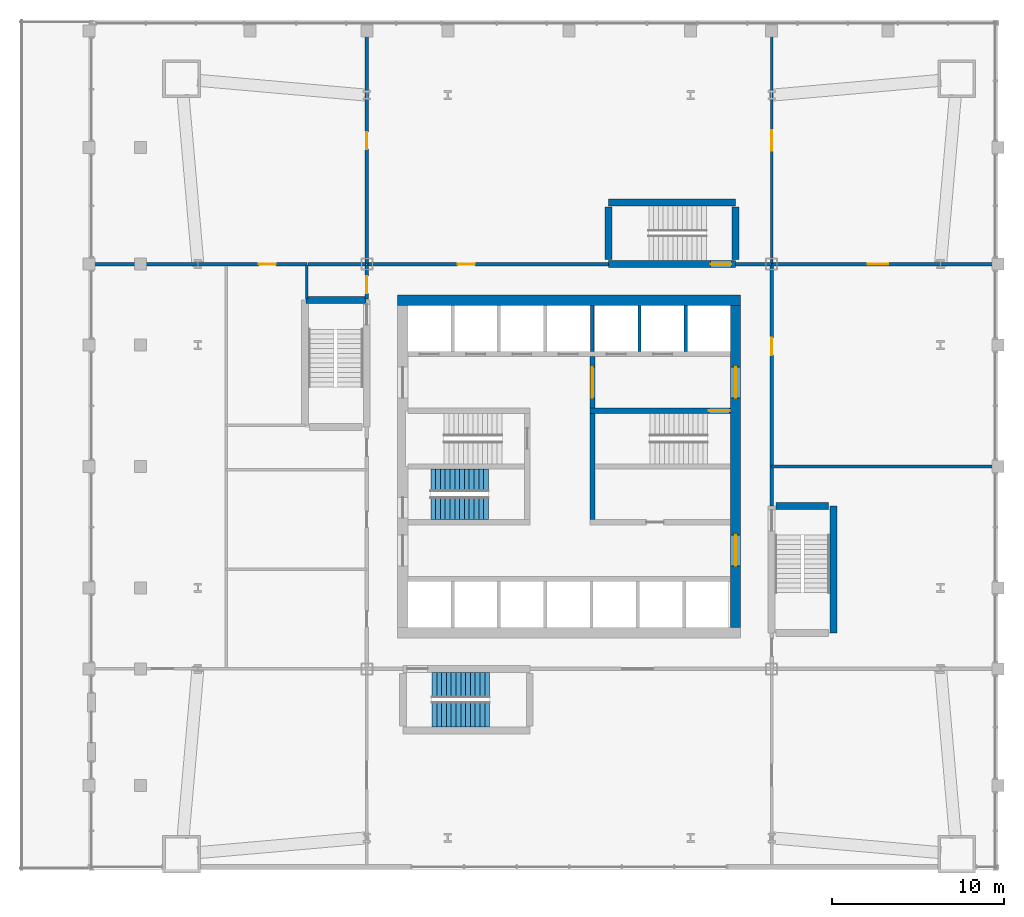
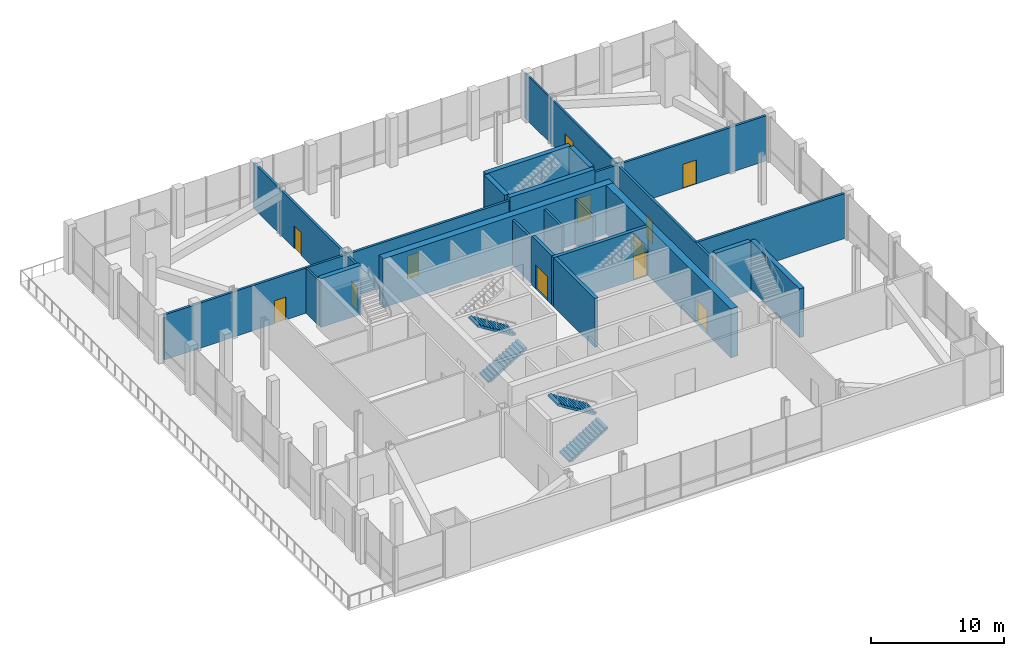
# One storey, part 13 of 15: 25 walls, 12 doors, 4 stair flights, 12 openings, 2 elements without a shape of their own.
"""IFC4 building model written with IfcOpenShell, lengths in metres."""

from ifc_helpers import new_model, si_unit, direction, frame, frame_2d, origin, place, context, subcontext, project, spatial, polyline, rectangle, outline, extrude, material, layer, layer_set, type_object, element, fill, aggregate, save


model = new_model("IFC4")

# Units and contexts
model_context = context("Model", 3, precision=1e-05, world=origin(), true_north=direction((0.0, 1.0)))
body_context = subcontext(model_context, "Body", "Model", "MODEL_VIEW")
ifc_project = project(units=[si_unit("LENGTHUNIT", "METRE"), si_unit("AREAUNIT", "SQUARE_METRE"), si_unit("VOLUMEUNIT", "CUBIC_METRE"), si_unit("PLANEANGLEUNIT", "RADIAN"), si_unit("MASSUNIT", "GRAM", prefix="KILO")], contexts=[model_context])

# Site, building, storey
site_placement = place(None, origin())
site = spatial("IfcSite", under=ifc_project, at=site_placement, CompositionType="ELEMENT")
building_placement = place(site_placement, origin())
building = spatial("IfcBuilding", under=site, at=building_placement, Name="Turquesa Mirador Hotel Tower", CompositionType="ELEMENT")
storey_placement = place(building_placement, frame((0.0, 0.0, 16.0)))
storey = spatial("IfcBuildingStorey", under=building, at=storey_placement, Name="L03", CompositionType="ELEMENT", Elevation=16.0)

# Wall, opening, door
ifc_material_1 = material(Name="Concrete C50/60", Category="concrete")
ifc_layer_1 = layer(ifc_material_1, 0.300048828125)
ifc_layer_set_1 = layer_set([ifc_layer_1], Name="CORE INNER WALL 300")
wall_type_1 = type_object("IfcWallType", Name="CORE INNER WALL 300", PredefinedType="SHEAR", material=ifc_layer_set_1)
wall_1_placement = place(storey_placement, frame((56.199951171875, 48.25, 0.0), z_axis=(0.0, 0.0, 1.0), x_axis=(1.0, 0.0, 0.0)))
wall_1 = element("IfcWall", 1, at=wall_1_placement, inside=storey, type_object=wall_type_1, Name="Core wall MN-E", PredefinedType="SHEAR", context=body_context, shape_type="SweptSolid", body=[
    extrude(rectangle(XDim=8.199951171875, YDim=0.300048828125, at=frame_2d((4.10009765625, 0.0))), origin(), (0.0, 0.0, 1.0), 4.5),
])
opening_1_placement = place(wall_1_placement, frame((6.949951171875, 0.0, 0.0)))
opening_1 = element("IfcOpeningElement", 2, at=opening_1_placement, cuts=wall_1, Name="Opening D03", PredefinedType="OPENING", context=body_context, shape_type="SweptSolid", body=[
    extrude(rectangle(XDim=1.199951171875, YDim=2.199951171875, at=frame_2d((0.60009765625, 1.10009765625))), frame((0.0, 0.159912109375, 0.0), z_axis=(0.0, -1.0, 0.0), x_axis=(1.0, 0.0, 0.0)), (0.0, 0.0, 1.0), 0.320068359375),
])
ifc_material_2 = material(Name="Steel fire door", Category="steel")
door_type_1 = type_object("IfcDoorType", Name="DOOR 1200X2200 STAIR", OperationType="SINGLE_SWING_LEFT", PredefinedType="DOOR", material=ifc_material_2)
door_1_placement = place(opening_1_placement, origin())
door_1 = element("IfcDoor", 3, at=door_1_placement, inside=storey, type_object=door_type_1, Name="Stair ST3 door", OperationType="SINGLE_SWING_LEFT", OverallHeight=2.199951171875, OverallWidth=1.199951171875, PredefinedType="DOOR", context=body_context, shape_type="SweptSolid", body=[
    extrude(rectangle(XDim=1.199951171875, YDim=2.199951171875, at=frame_2d((0.60009765625, 1.10009765625))), frame((0.0, 0.02490234375, 0.0), z_axis=(0.0, -1.0, 0.0), x_axis=(1.0, 0.0, 0.0)), (0.0, 0.0, 1.0), 0.050048828125),
])
fill(opening_1, door_1)

wall_2_placement = place(storey_placement, frame((56.35009765625, 41.89990234375, 0.0), z_axis=(0.0, 0.0, 1.0), x_axis=(0.0, 1.0, 0.0)))
wall_2 = element("IfcWall", 4, at=wall_2_placement, inside=storey, type_object=wall_type_1, Name="Core wall PE", PredefinedType="SHEAR", context=body_context, shape_type="SweptSolid", body=[
    extrude(rectangle(XDim=9.5, YDim=0.300048828125, at=frame_2d((4.75, 0.0))), origin(), (0.0, 0.0, 1.0), 4.5),
])
opening_2_placement = place(wall_2_placement, frame((7.10009765625, 0.0, 0.0)))
opening_2 = element("IfcOpeningElement", 5, at=opening_2_placement, cuts=wall_2, Name="Opening D04", PredefinedType="OPENING", context=body_context, shape_type="SweptSolid", body=[
    extrude(rectangle(XDim=1.800048828125, YDim=2.199951171875, at=frame_2d((0.89990234375, 1.10009765625))), frame((0.0, 0.159912109375, 0.0), z_axis=(0.0, -1.0, 0.0), x_axis=(1.0, 0.0, 0.0)), (0.0, 0.0, 1.0), 0.320068359375),
])
ifc_material_3 = material(Name="Steel fire door pair", Category="steel")
door_type_2 = type_object("IfcDoorType", Name="DOOR 1800X2200 PAIR", OperationType="DOUBLE_DOOR_SINGLE_SWING", PredefinedType="DOOR", material=ifc_material_3)
door_2_placement = place(opening_2_placement, origin())
door_2 = element("IfcDoor", 6, at=door_2_placement, inside=storey, type_object=door_type_2, Name="Firefighting lobby inner door", OperationType="DOUBLE_DOOR_SINGLE_SWING", OverallHeight=2.199951171875, OverallWidth=1.800048828125, PredefinedType="DOOR", context=body_context, shape_type="SweptSolid", body=[
    extrude(rectangle(XDim=1.800048828125, YDim=2.199951171875, at=frame_2d((0.89990234375, 1.10009765625))), frame((0.0, 0.02490234375, 0.0), z_axis=(0.0, -1.0, 0.0), x_axis=(1.0, 0.0, 0.0)), (0.0, 0.0, 1.0), 0.050048828125),
])
fill(opening_2, door_2)

# Wall
ifc_material_4 = material(Name="Concrete C50/60", Category="concrete")
ifc_layer_2 = layer(ifc_material_4, 0.60009765625)
ifc_layer_set_2 = layer_set([ifc_layer_2], Name="CORE WALL 600")
wall_type_2 = type_object("IfcWallType", Name="CORE WALL 600", PredefinedType="SHEAR", material=ifc_layer_set_2)
wall_3_placement = place(storey_placement, frame((45.0, 54.699951171875, 0.0), z_axis=(0.0, 0.0, 1.0), x_axis=(1.0, 0.0, 0.0)))
element("IfcWall", 7, at=wall_3_placement, inside=storey, type_object=wall_type_2, Name="Core wall N", PredefinedType="SHEAR", context=body_context, shape_type="SweptSolid", body=[
    extrude(rectangle(XDim=20.0, YDim=0.60009765625, at=frame_2d((10.0, 0.0))), origin(), (0.0, 0.0, 1.0), 4.5),
])

# Wall, openings, doors
wall_4_placement = place(storey_placement, frame((64.699951171875, 35.60009765625, 0.0), z_axis=(0.0, 0.0, 1.0), x_axis=(0.0, 1.0, 0.0)))
wall_4 = element("IfcWall", 8, at=wall_4_placement, inside=storey, type_object=wall_type_2, Name="Core wall E", PredefinedType="SHEAR", context=body_context, shape_type="SweptSolid", body=[
    extrude(rectangle(XDim=18.7998046875, YDim=0.60009765625, at=frame_2d((9.39990234375, 0.0))), origin(), (0.0, 0.0, 1.0), 4.5),
])
opening_3_placement = place(wall_4_placement, frame((13.39990234375, 0.0, 0.0)))
opening_3 = element("IfcOpeningElement", 9, at=opening_3_placement, cuts=wall_4, Name="Opening D04", PredefinedType="OPENING", context=body_context, shape_type="SweptSolid", body=[
    extrude(rectangle(XDim=1.800048828125, YDim=2.199951171875, at=frame_2d((0.89990234375, 1.10009765625))), frame((0.0, 0.31005859375, 0.0), z_axis=(0.0, -1.0, 0.0), x_axis=(1.0, 0.0, 0.0)), (0.0, 0.0, 1.0), 0.6201171875),
])
opening_4_placement = place(wall_4_placement, frame((3.60009765625, 0.0, 0.0)))
opening_4 = element("IfcOpeningElement", 10, at=opening_4_placement, cuts=wall_4, Name="Opening D04", PredefinedType="OPENING", context=body_context, shape_type="SweptSolid", body=[
    extrude(rectangle(XDim=1.800048828125, YDim=2.199951171875, at=frame_2d((0.89990234375, 1.10009765625))), frame((0.0, 0.31005859375, 0.0), z_axis=(0.0, -1.0, 0.0), x_axis=(1.0, 0.0, 0.0)), (0.0, 0.0, 1.0), 0.6201171875),
])
door_3_placement = place(opening_3_placement, origin())
door_3 = element("IfcDoor", 11, at=door_3_placement, inside=storey, type_object=door_type_2, Name="Firefighting lobby door", OperationType="DOUBLE_DOOR_SINGLE_SWING", OverallHeight=2.199951171875, OverallWidth=1.800048828125, PredefinedType="DOOR", context=body_context, shape_type="SweptSolid", body=[
    extrude(rectangle(XDim=1.800048828125, YDim=2.199951171875, at=frame_2d((0.89990234375, 1.10009765625))), frame((0.0, 0.02490234375, 0.0), z_axis=(0.0, -1.0, 0.0), x_axis=(1.0, 0.0, 0.0)), (0.0, 0.0, 1.0), 0.050048828125),
])
fill(opening_3, door_3)
door_4_placement = place(opening_4_placement, origin())
door_4 = element("IfcDoor", 12, at=door_4_placement, inside=storey, type_object=door_type_2, Name="South lift lobby door", OperationType="DOUBLE_DOOR_SINGLE_SWING", OverallHeight=2.199951171875, OverallWidth=1.800048828125, PredefinedType="DOOR", context=body_context, shape_type="SweptSolid", body=[
    extrude(rectangle(XDim=1.800048828125, YDim=2.199951171875, at=frame_2d((0.89990234375, 1.10009765625))), frame((0.0, 0.02490234375, 0.0), z_axis=(0.0, -1.0, 0.0), x_axis=(1.0, 0.0, 0.0)), (0.0, 0.0, 1.0), 0.050048828125),
])
fill(opening_4, door_4)

# Wall, opening, door
ifc_material_5 = material(Name="Fire-rated gypsum board on steel studs", Category="steel")
ifc_layer_3 = layer(ifc_material_5, 0.199951171875)
ifc_layer_set_3 = layer_set([ifc_layer_3], Name="CORRIDOR WALL 200")
wall_type_3 = type_object("IfcWallType", Name="CORRIDOR WALL 200", PredefinedType="PARTITIONING", material=ifc_layer_set_3)
wall_5_placement = place(storey_placement, frame((43.199951171875, 56.800048828125, 0.0), z_axis=(0.0, 0.0, 1.0), x_axis=(1.0, 0.0, 0.0)))
wall_5 = element("IfcWall", 13, at=wall_5_placement, inside=storey, type_object=wall_type_3, Name="Partition L03 012", PredefinedType="PARTITIONING", context=body_context, shape_type="SweptSolid", body=[
    extrude(rectangle(XDim=14.10009765625, YDim=0.199951171875, at=frame_2d((7.050048828125, 0.0))), origin(), (0.0, 0.0, 1.0), 4.14990234375),
])
opening_5_placement = place(wall_5_placement, frame((5.300048828125, 0.0, 0.0)))
opening_5 = element("IfcOpeningElement", 14, at=opening_5_placement, cuts=wall_5, Name="Opening D05", PredefinedType="OPENING", context=body_context, shape_type="SweptSolid", body=[
    extrude(rectangle(XDim=1.0, YDim=2.10009765625, at=frame_2d((0.5, 1.050048828125))), frame((0.0, 0.10986328125, 0.0), z_axis=(0.0, -1.0, 0.0), x_axis=(1.0, 0.0, 0.0)), (0.0, 0.0, 1.0), 0.219970703125),
])
ifc_material_6 = material(Name="Steel fire door", Category="steel")
door_type_3 = type_object("IfcDoorType", Name="DOOR 1000X2100 SERVICE", OperationType="SINGLE_SWING_LEFT", PredefinedType="DOOR", material=ifc_material_6)
door_5_placement = place(opening_5_placement, origin())
door_5 = element("IfcDoor", 15, at=door_5_placement, inside=storey, type_object=door_type_3, Name="Door L03-10", OperationType="SINGLE_SWING_LEFT", OverallHeight=2.10009765625, OverallWidth=1.0, PredefinedType="DOOR", context=body_context, shape_type="SweptSolid", body=[
    extrude(rectangle(XDim=1.0, YDim=2.10009765625, at=frame_2d((0.5, 1.050048828125))), frame((0.0, 0.02490234375, 0.0), z_axis=(0.0, -1.0, 0.0), x_axis=(1.0, 0.0, 0.0)), (0.0, 0.0, 1.0), 0.050048828125),
])
fill(opening_5, door_5)

# Wall
wall_6_placement = place(storey_placement, frame((64.699951171875, 56.800048828125, 0.0), z_axis=(0.0, 0.0, 1.0), x_axis=(1.0, 0.0, 0.0)))
element("IfcWall", 16, at=wall_6_placement, inside=storey, type_object=wall_type_3, Name="Partition L03 013", PredefinedType="PARTITIONING", context=body_context, shape_type="SweptSolid", body=[
    extrude(rectangle(XDim=2.10009765625, YDim=0.199951171875, at=frame_2d((1.050048828125, 0.0))), origin(), (0.0, 0.0, 1.0), 4.14990234375),
])

# Wall, opening, door
wall_7_placement = place(storey_placement, frame((66.800048828125, 42.699951171875, 0.0), z_axis=(0.0, 0.0, 1.0), x_axis=(0.0, 1.0, 0.0)))
wall_7 = element("IfcWall", 17, at=wall_7_placement, inside=storey, type_object=wall_type_3, Name="Partition L03 029", PredefinedType="PARTITIONING", context=body_context, shape_type="SweptSolid", body=[
    extrude(rectangle(XDim=14.10009765625, YDim=0.199951171875, at=frame_2d((7.050048828125, 0.0))), origin(), (0.0, 0.0, 1.0), 4.14990234375),
])
opening_6_placement = place(wall_7_placement, frame((8.800048828125, 0.0, 0.0)))
opening_6 = element("IfcOpeningElement", 18, at=opening_6_placement, cuts=wall_7, Name="Opening D05", PredefinedType="OPENING", context=body_context, shape_type="SweptSolid", body=[
    extrude(rectangle(XDim=1.0, YDim=2.10009765625, at=frame_2d((0.5, 1.050048828125))), frame((0.0, 0.10986328125, 0.0), z_axis=(0.0, -1.0, 0.0), x_axis=(1.0, 0.0, 0.0)), (0.0, 0.0, 1.0), 0.219970703125),
])
door_6_placement = place(opening_6_placement, origin())
door_6 = element("IfcDoor", 19, at=door_6_placement, inside=storey, type_object=door_type_3, Name="Door L03-13", OperationType="SINGLE_SWING_LEFT", OverallHeight=2.10009765625, OverallWidth=1.0, PredefinedType="DOOR", context=body_context, shape_type="SweptSolid", body=[
    extrude(rectangle(XDim=1.0, YDim=2.10009765625, at=frame_2d((0.5, 1.050048828125))), frame((0.0, 0.02490234375, 0.0), z_axis=(0.0, -1.0, 0.0), x_axis=(1.0, 0.0, 0.0)), (0.0, 0.0, 1.0), 0.050048828125),
])
fill(opening_6, door_6)

wall_8_placement = place(storey_placement, frame((43.199951171875, 56.739990234375, 0.0), z_axis=(0.0, 0.0, 1.0), x_axis=(0.0, -1.0, 0.0)))
wall_8 = element("IfcWall", 20, at=wall_8_placement, inside=storey, type_object=wall_type_3, Name="Partition L03 037", PredefinedType="PARTITIONING", context=body_context, shape_type="SweptSolid", body=[
    extrude(rectangle(XDim=1.97998046875, YDim=0.199951171875, at=frame_2d((0.989990234375, 0.0))), origin(), (0.0, 0.0, 1.0), 4.14990234375),
])
opening_7_placement = place(wall_8_placement, frame((0.639892578125, 0.0, 0.0)))
opening_7 = element("IfcOpeningElement", 21, at=opening_7_placement, cuts=wall_8, Name="Opening D05", PredefinedType="OPENING", context=body_context, shape_type="SweptSolid", body=[
    extrude(rectangle(XDim=1.0, YDim=2.10009765625, at=frame_2d((0.5, 1.050048828125))), frame((0.0, 0.10986328125, 0.0), z_axis=(0.0, -1.0, 0.0), x_axis=(1.0, 0.0, 0.0)), (0.0, 0.0, 1.0), 0.219970703125),
])
door_7_placement = place(opening_7_placement, origin())
door_7 = element("IfcDoor", 22, at=door_7_placement, inside=storey, type_object=door_type_3, Name="Door L03-14", OperationType="SINGLE_SWING_LEFT", OverallHeight=2.10009765625, OverallWidth=1.0, PredefinedType="DOOR", context=body_context, shape_type="SweptSolid", body=[
    extrude(rectangle(XDim=1.0, YDim=2.10009765625, at=frame_2d((0.5, 1.050048828125))), frame((0.0, 0.02490234375, 0.0), z_axis=(0.0, -1.0, 0.0), x_axis=(1.0, 0.0, 0.0)), (0.0, 0.0, 1.0), 0.050048828125),
])
fill(opening_7, door_7)

# Wall
ifc_material_7 = material(Name="Fire-rated gypsum board on steel studs", Category="steel")
ifc_layer_4 = layer(ifc_material_7, 0.199951171875)
ifc_layer_set_4 = layer_set([ifc_layer_4], Name="FIRE PARTITION 200")
wall_type_4 = type_object("IfcWallType", Name="FIRE PARTITION 200", PredefinedType="PARTITIONING", material=ifc_layer_set_4)
wall_9_placement = place(storey_placement, frame((66.800048828125, 45.0, 0.0), z_axis=(0.0, 0.0, 1.0), x_axis=(1.0, 0.0, 0.0)))
element("IfcWall", 23, at=wall_9_placement, inside=storey, type_object=wall_type_4, Name="Partition L03 011", PredefinedType="PARTITIONING", context=body_context, shape_type="SweptSolid", body=[
    extrude(rectangle(XDim=12.89990234375, YDim=0.199951171875, at=frame_2d((6.449951171875, 0.0))), origin(), (0.0, 0.0, 1.0), 4.14990234375),
])

# Wall, opening, door
wall_10_placement = place(storey_placement, frame((27.300048828125, 56.800048828125, 0.0), z_axis=(0.0, 0.0, 1.0), x_axis=(1.0, 0.0, 0.0)))
wall_10 = element("IfcWall", 24, at=wall_10_placement, inside=storey, type_object=wall_type_4, Name="Partition L03 014", PredefinedType="PARTITIONING", context=body_context, shape_type="SweptSolid", body=[
    extrude(rectangle(XDim=12.39990234375, YDim=0.199951171875, at=frame_2d((6.199951171875, 0.0))), origin(), (0.0, 0.0, 1.0), 4.14990234375),
])
opening_8_placement = place(wall_10_placement, frame((9.60009765625, 0.0, 0.0)))
opening_8 = element("IfcOpeningElement", 25, at=opening_8_placement, cuts=wall_10, Name="Opening D05", PredefinedType="OPENING", context=body_context, shape_type="SweptSolid", body=[
    extrude(rectangle(XDim=1.0, YDim=2.10009765625, at=frame_2d((0.5, 1.050048828125))), frame((0.0, 0.10986328125, 0.0), z_axis=(0.0, -1.0, 0.0), x_axis=(1.0, 0.0, 0.0)), (0.0, 0.0, 1.0), 0.219970703125),
])
door_8_placement = place(opening_8_placement, origin())
door_8 = element("IfcDoor", 26, at=door_8_placement, inside=storey, type_object=door_type_3, Name="Door L03-07", OperationType="SINGLE_SWING_LEFT", OverallHeight=2.10009765625, OverallWidth=1.0, PredefinedType="DOOR", context=body_context, shape_type="SweptSolid", body=[
    extrude(rectangle(XDim=1.0, YDim=2.10009765625, at=frame_2d((0.5, 1.050048828125))), frame((0.0, 0.02490234375, 0.0), z_axis=(0.0, -1.0, 0.0), x_axis=(1.0, 0.0, 0.0)), (0.0, 0.0, 1.0), 0.050048828125),
])
fill(opening_8, door_8)

wall_11_placement = place(storey_placement, frame((66.800048828125, 56.800048828125, 0.0), z_axis=(0.0, 0.0, 1.0), x_axis=(1.0, 0.0, 0.0)))
wall_11 = element("IfcWall", 27, at=wall_11_placement, inside=storey, type_object=wall_type_4, Name="Partition L03 015", PredefinedType="PARTITIONING", context=body_context, shape_type="SweptSolid", body=[
    extrude(rectangle(XDim=12.89990234375, YDim=0.199951171875, at=frame_2d((6.449951171875, 0.0))), origin(), (0.0, 0.0, 1.0), 4.14990234375),
])
opening_9_placement = place(wall_11_placement, frame((5.60009765625, 0.0, 0.0)))
opening_9 = element("IfcOpeningElement", 28, at=opening_9_placement, cuts=wall_11, Name="Opening D09", PredefinedType="OPENING", context=body_context, shape_type="SweptSolid", body=[
    extrude(rectangle(XDim=1.199951171875, YDim=2.199951171875, at=frame_2d((0.60009765625, 1.10009765625))), frame((0.0, 0.10986328125, 0.0), z_axis=(0.0, -1.0, 0.0), x_axis=(1.0, 0.0, 0.0)), (0.0, 0.0, 1.0), 0.219970703125),
])
ifc_material_8 = material(Name="Timber door", Category="wood")
door_type_4 = type_object("IfcDoorType", Name="DOOR 1200X2200 OFFICE", OperationType="SINGLE_SWING_LEFT", PredefinedType="DOOR", material=ifc_material_8)
door_9_placement = place(opening_9_placement, origin())
door_9 = element("IfcDoor", 29, at=door_9_placement, inside=storey, type_object=door_type_4, Name="Door L03-11-1", OperationType="SINGLE_SWING_LEFT", OverallHeight=2.199951171875, OverallWidth=1.199951171875, PredefinedType="DOOR", context=body_context, shape_type="SweptSolid", body=[
    extrude(rectangle(XDim=1.199951171875, YDim=2.199951171875, at=frame_2d((0.60009765625, 1.10009765625))), frame((0.0, 0.02490234375, 0.0), z_axis=(0.0, -1.0, 0.0), x_axis=(1.0, 0.0, 0.0)), (0.0, 0.0, 1.0), 0.050048828125),
])
fill(opening_9, door_9)

wall_12_placement = place(storey_placement, frame((43.199951171875, 56.800048828125, 0.0), z_axis=(0.0, 0.0, 1.0), x_axis=(0.0, 1.0, 0.0)))
wall_12 = element("IfcWall", 30, at=wall_12_placement, inside=storey, type_object=wall_type_4, Name="Partition L03 021", PredefinedType="PARTITIONING", context=body_context, shape_type="SweptSolid", body=[
    extrude(rectangle(XDim=13.89990234375, YDim=0.199951171875, at=frame_2d((6.949951171875, 0.0))), origin(), (0.0, 0.0, 1.0), 4.14990234375),
])
opening_10_placement = place(wall_12_placement, frame((6.699951171875, 0.0, 0.0)))
opening_10 = element("IfcOpeningElement", 31, at=opening_10_placement, cuts=wall_12, Name="Opening D05", PredefinedType="OPENING", context=body_context, shape_type="SweptSolid", body=[
    extrude(rectangle(XDim=1.0, YDim=2.10009765625, at=frame_2d((0.5, 1.050048828125))), frame((0.0, 0.10986328125, 0.0), z_axis=(0.0, -1.0, 0.0), x_axis=(1.0, 0.0, 0.0)), (0.0, 0.0, 1.0), 0.219970703125),
])
door_10_placement = place(opening_10_placement, origin())
door_10 = element("IfcDoor", 32, at=door_10_placement, inside=storey, type_object=door_type_3, Name="Door L03-09", OperationType="SINGLE_SWING_LEFT", OverallHeight=2.10009765625, OverallWidth=1.0, PredefinedType="DOOR", context=body_context, shape_type="SweptSolid", body=[
    extrude(rectangle(XDim=1.0, YDim=2.10009765625, at=frame_2d((0.5, 1.050048828125))), frame((0.0, 0.02490234375, 0.0), z_axis=(0.0, -1.0, 0.0), x_axis=(1.0, 0.0, 0.0)), (0.0, 0.0, 1.0), 0.050048828125),
])
fill(opening_10, door_10)

# Walls
wall_13_placement = place(storey_placement, frame((39.760009765625, 56.800048828125, 0.0), z_axis=(0.0, 0.0, 1.0), x_axis=(1.0, 0.0, 0.0)))
element("IfcWall", 33, at=wall_13_placement, inside=storey, type_object=wall_type_4, Name="Partition L03 039", PredefinedType="PARTITIONING", context=body_context, shape_type="SweptSolid", body=[
    extrude(rectangle(XDim=3.3798828125, YDim=0.199951171875, at=frame_2d((1.68994140625, 0.0))), origin(), (0.0, 0.0, 1.0), 4.14990234375),
])
ifc_material_9 = material(Name="Fire-rated gypsum shaft wall on steel studs", Category="steel")
ifc_layer_5 = layer(ifc_material_9, 0.199951171875)
ifc_layer_set_5 = layer_set([ifc_layer_5], Name="LIFT SHAFT DIVIDER 200")
wall_type_5 = type_object("IfcWallType", Name="LIFT SHAFT DIVIDER 200", PredefinedType="PARTITIONING", material=ifc_layer_set_5)
for number, where, z_axis, x_axis, name in (
    (34, (59.10009765625, 51.699951171875, 0.0), (0.0, 0.0, 1.0), (0.0, 1.0, 0.0), "Lift shaft divider"),
    (35, (61.800048828125, 51.699951171875, 0.0), (0.0, 0.0, 1.0), (0.0, 1.0, 0.0), "Lift shaft divider"),
    (36, (56.35009765625, 51.699951171875, 0.0), (0.0, 0.0, 1.0), (0.0, 1.0, 0.0), "Lift shaft divider"),
):
    element("IfcWall", number, at=place(storey_placement, frame(where, z_axis=z_axis, x_axis=x_axis)), inside=storey, type_object=wall_type_5, Name=name, PredefinedType="PARTITIONING", context=body_context, shape_type="SweptSolid", body=[
        extrude(rectangle(XDim=2.699951171875, YDim=0.199951171875, at=frame_2d((1.35009765625, 0.0))), origin(), (0.0, 0.0, 1.0), 4.14990234375),
    ])

# Wall, opening, door
ifc_material_10 = material(Name="Gypsum board on steel studs", Category="steel")
ifc_layer_6 = layer(ifc_material_10, 0.14990234375)
ifc_layer_set_6 = layer_set([ifc_layer_6], Name="PARTITION 150")
wall_type_6 = type_object("IfcWallType", Name="PARTITION 150", PredefinedType="PARTITIONING", material=ifc_layer_set_6)
wall_14_placement = place(storey_placement, frame((66.800048828125, 56.800048828125, 0.0), z_axis=(0.0, 0.0, 1.0), x_axis=(0.0, 1.0, 0.0)))
wall_14 = element("IfcWall", 37, at=wall_14_placement, inside=storey, type_object=wall_type_6, Name="Partition L03 031", PredefinedType="PARTITIONING", context=body_context, shape_type="SweptSolid", body=[
    extrude(rectangle(XDim=13.89990234375, YDim=0.14990234375, at=frame_2d((6.949951171875, 0.0))), origin(), (0.0, 0.0, 1.0), 4.14990234375),
])
opening_11_placement = place(wall_14_placement, frame((6.60009765625, 0.0, 0.0)))
opening_11 = element("IfcOpeningElement", 38, at=opening_11_placement, cuts=wall_14, Name="Opening D09", PredefinedType="OPENING", context=body_context, shape_type="SweptSolid", body=[
    extrude(rectangle(XDim=1.199951171875, YDim=2.199951171875, at=frame_2d((0.60009765625, 1.10009765625))), frame((0.0, 0.0849609375, 0.0), z_axis=(0.0, -1.0, 0.0), x_axis=(1.0, 0.0, 0.0)), (0.0, 0.0, 1.0), 0.169921875),
])
door_11_placement = place(opening_11_placement, origin())
door_11 = element("IfcDoor", 39, at=door_11_placement, inside=storey, type_object=door_type_4, Name="Door L03-11", OperationType="SINGLE_SWING_LEFT", OverallHeight=2.199951171875, OverallWidth=1.199951171875, PredefinedType="DOOR", context=body_context, shape_type="SweptSolid", body=[
    extrude(rectangle(XDim=1.199951171875, YDim=2.199951171875, at=frame_2d((0.60009765625, 1.10009765625))), frame((0.0, 0.02490234375, 0.0), z_axis=(0.0, -1.0, 0.0), x_axis=(1.0, 0.0, 0.0)), (0.0, 0.0, 1.0), 0.050048828125),
])
fill(opening_11, door_11)

# Walls
wall_15_placement = place(storey_placement, frame((39.699951171875, 54.760009765625, 0.0), z_axis=(0.0, 0.0, 1.0), x_axis=(0.0, 1.0, 0.0)))
element("IfcWall", 40, at=wall_15_placement, inside=storey, type_object=wall_type_6, Name="Partition L03 038", PredefinedType="PARTITIONING", context=body_context, shape_type="SweptSolid", body=[
    extrude(rectangle(XDim=1.97998046875, YDim=0.14990234375, at=frame_2d((0.989990234375, 0.0))), origin(), (0.0, 0.0, 1.0), 4.14990234375),
])
ifc_material_11 = material(Name="Concrete C50/60", Category="concrete")
ifc_layer_7 = layer(ifc_material_11, 0.39990234375)
ifc_layer_set_7 = layer_set([ifc_layer_7], Name="STAIR WALL 400")
wall_type_7 = type_object("IfcWallType", Name="STAIR WALL 400", PredefinedType="SHEAR", material=ifc_layer_set_7)
wall_16_placement = place(storey_placement, frame((67.070068359375, 42.699951171875, 0.0), z_axis=(0.0, 0.0, 1.0), x_axis=(1.0, 0.0, 0.0)))
element("IfcWall", 41, at=wall_16_placement, inside=storey, type_object=wall_type_7, Name="Stair wall L03 008", PredefinedType="SHEAR", context=body_context, shape_type="SweptSolid", body=[
    extrude(rectangle(XDim=3.059814453125, YDim=0.39990234375, at=frame_2d((1.52978515625, 0.0))), origin(), (0.0, 0.0, 1.0), 4.5),
])

# Wall, opening, door
wall_17_placement = place(storey_placement, frame((57.300048828125, 56.800048828125, 0.0), z_axis=(0.0, 0.0, 1.0), x_axis=(1.0, 0.0, 0.0)))
wall_17 = element("IfcWall", 42, at=wall_17_placement, inside=storey, type_object=wall_type_7, Name="Stair wall L03 016", PredefinedType="SHEAR", context=body_context, shape_type="SweptSolid", body=[
    extrude(rectangle(XDim=7.39990234375, YDim=0.39990234375, at=frame_2d((3.699951171875, 0.0))), origin(), (0.0, 0.0, 1.0), 4.5),
])
opening_12_placement = place(wall_17_placement, frame((5.949951171875, 0.0, 0.0)))
opening_12 = element("IfcOpeningElement", 43, at=opening_12_placement, cuts=wall_17, Name="Opening D03", PredefinedType="OPENING", context=body_context, shape_type="SweptSolid", body=[
    extrude(rectangle(XDim=1.199951171875, YDim=2.199951171875, at=frame_2d((0.60009765625, 1.10009765625))), frame((0.0, 0.2099609375, 0.0), z_axis=(0.0, -1.0, 0.0), x_axis=(1.0, 0.0, 0.0)), (0.0, 0.0, 1.0), 0.419921875),
])
door_12_placement = place(opening_12_placement, origin())
door_12 = element("IfcDoor", 44, at=door_12_placement, inside=storey, type_object=door_type_1, Name="Door L03-PS1", OperationType="SINGLE_SWING_LEFT", OverallHeight=2.199951171875, OverallWidth=1.199951171875, PredefinedType="DOOR", context=body_context, shape_type="SweptSolid", body=[
    extrude(rectangle(XDim=1.199951171875, YDim=2.199951171875, at=frame_2d((0.60009765625, 1.10009765625))), frame((0.0, 0.02490234375, 0.0), z_axis=(0.0, -1.0, 0.0), x_axis=(1.0, 0.0, 0.0)), (0.0, 0.0, 1.0), 0.050048828125),
])
fill(opening_12, door_12)

# Walls
for number, where, z_axis, x_axis, name in (
    (45, (57.300048828125, 60.39990234375, 0.0), (0.0, 0.0, 1.0), (1.0, 0.0, 0.0), "Stair wall L03 017"),
    (46, (70.39990234375, 35.300048828125, 0.0), (0.0, 0.0, 1.0), (0.0, 1.0, 0.0), "Stair wall L03 033"),
):
    element("IfcWall", number, at=place(storey_placement, frame(where, z_axis=z_axis, x_axis=x_axis)), inside=storey, type_object=wall_type_7, Name=name, PredefinedType="SHEAR", context=body_context, shape_type="SweptSolid", body=[
        extrude(rectangle(XDim=7.39990234375, YDim=0.39990234375, at=frame_2d((3.699951171875, 0.0))), origin(), (0.0, 0.0, 1.0), 4.5),
    ])
for number, where, z_axis, x_axis, name in (
    (47, (57.300048828125, 57.070068359375, 0.0), (0.0, 0.0, 1.0), (0.0, 1.0, 0.0), "Stair wall L03 034"),
    (48, (64.699951171875, 57.070068359375, 0.0), (0.0, 0.0, 1.0), (0.0, 1.0, 0.0), "Stair wall L03 035"),
):
    element("IfcWall", number, at=place(storey_placement, frame(where, z_axis=z_axis, x_axis=x_axis)), inside=storey, type_object=wall_type_7, Name=name, PredefinedType="SHEAR", context=body_context, shape_type="SweptSolid", body=[
        extrude(rectangle(XDim=3.059814453125, YDim=0.39990234375, at=frame_2d((1.52978515625, 0.0))), origin(), (0.0, 0.0, 1.0), 4.5),
    ])
wall_18_placement = place(storey_placement, frame((43.139892578125, 54.699951171875, 0.0), z_axis=(0.0, 0.0, 1.0), x_axis=(-1.0, 0.0, 0.0)))
element("IfcWall", 49, at=wall_18_placement, inside=storey, type_object=wall_type_7, Name="Stair wall L03 036", PredefinedType="SHEAR", context=body_context, shape_type="SweptSolid", body=[
    extrude(rectangle(XDim=3.47998046875, YDim=0.39990234375, at=frame_2d((1.739990234375, 0.0))), origin(), (0.0, 0.0, 1.0), 4.5),
])

# Stair, stair flights
ifc_material_12 = material(Name="Concrete C35/45", Category="concrete")
stair_type_1 = type_object("IfcStairType", Name="ESCAPE STAIR CORE", PredefinedType="HALF_TURN_STAIR", material=ifc_material_12)
stair_1_placement = place(storey_placement, origin())
stair_1 = element("IfcStair", 50, at=stair_1_placement, inside=storey, type_object=stair_type_1, Name="Stair ST2 L03 to L04", PredefinedType="HALF_TURN_STAIR")
ifc_material_13 = material(Name="Concrete C35/45 precast flight", Category="concrete")
stair_flight_type_1 = type_object("IfcStairFlightType", Name="STAIR FLIGHT 1330", PredefinedType="STRAIGHT", material=ifc_material_13)
stair_flight_1_placement = place(storey_placement, frame((46.929931640625, 42.56494140625, 0.0), z_axis=(0.0, 0.0, 1.0), x_axis=(1.0, 0.0, 0.0)))
stair_flight_1 = element("IfcStairFlight", 51, at=stair_flight_1_placement, type_object=stair_flight_type_1, Name="ST2 flight 1", NumberOfRisers=13, NumberOfTreads=12, PredefinedType="STRAIGHT", RiserHeight=0.173076923, TreadLength=0.28, context=body_context, shape_type="SweptSolid", body=[
    extrude(outline(polyline([(0.0, 0.0), (0.0, 0.173095703125), (0.280029296875, 0.173095703125), (0.280029296875, 0.34619140625), (0.56005859375, 0.34619140625), (0.56005859375, 0.519287109375), (0.840087890625, 0.519287109375), (0.840087890625, 0.6923828125), (1.1201171875, 0.6923828125), (1.1201171875, 0.865478515625), (1.39990234375, 0.865478515625), (1.39990234375, 1.03857421875), (1.679931640625, 1.03857421875), (1.679931640625, 1.21142578125), (1.9599609375, 1.21142578125), (1.9599609375, 1.384521484375), (2.239990234375, 1.384521484375), (2.239990234375, 1.5576171875), (2.52001953125, 1.5576171875), (2.52001953125, 1.730712890625), (2.800048828125, 1.730712890625), (2.800048828125, 1.90380859375), (3.080078125, 1.90380859375), (3.080078125, 2.076904296875), (3.360107421875, 2.076904296875), (3.360107421875, 2.25), (3.360107421875, 1.900634765625), (0.28515625, 0.0), (0.0, 0.0)])), frame((0.0, 0.6650390625, 0.0), z_axis=(0.0, -1.0, 0.0), x_axis=(1.0, 0.0, 0.0)), (0.0, 0.0, 1.0), 1.330078125),
])
stair_flight_2_placement = place(storey_placement, frame((50.2900390625, 44.18505859375, 2.25), z_axis=(0.0, 0.0, 1.0), x_axis=(-1.0, 0.0, 0.0)))
stair_flight_2 = element("IfcStairFlight", 52, at=stair_flight_2_placement, type_object=stair_flight_type_1, Name="ST2 flight 2", NumberOfRisers=13, NumberOfTreads=12, PredefinedType="STRAIGHT", RiserHeight=0.173076923, TreadLength=0.28, context=body_context, shape_type="SweptSolid", body=[
    extrude(outline(polyline([(0.0, 0.0), (0.0, 0.173095703125), (0.280029296875, 0.173095703125), (0.280029296875, 0.34619140625), (0.56005859375, 0.34619140625), (0.56005859375, 0.519287109375), (0.840087890625, 0.519287109375), (0.840087890625, 0.6923828125), (1.1201171875, 0.6923828125), (1.1201171875, 0.865478515625), (1.39990234375, 0.865478515625), (1.39990234375, 1.03857421875), (1.679931640625, 1.03857421875), (1.679931640625, 1.21142578125), (1.9599609375, 1.21142578125), (1.9599609375, 1.384521484375), (2.239990234375, 1.384521484375), (2.239990234375, 1.5576171875), (2.52001953125, 1.5576171875), (2.52001953125, 1.730712890625), (2.800048828125, 1.730712890625), (2.800048828125, 1.90380859375), (3.080078125, 1.90380859375), (3.080078125, 2.076904296875), (3.360107421875, 2.076904296875), (3.360107421875, 2.25), (3.360107421875, 1.900634765625), (0.28515625, 0.0), (0.0, 0.0)])), frame((0.0, 0.6650390625, 0.0), z_axis=(0.0, -1.0, 0.0), x_axis=(1.0, 0.0, 0.0)), (0.0, 0.0, 1.0), 1.330078125),
])
aggregate(stair_1, [stair_flight_1, stair_flight_2])

ifc_material_14 = material(Name="Concrete C35/45", Category="concrete")
stair_type_2 = type_object("IfcStairType", Name="ESCAPE STAIR PODIUM", PredefinedType="HALF_TURN_STAIR", material=ifc_material_14)
stair_2_placement = place(storey_placement, origin())
stair_2 = element("IfcStair", 53, at=stair_2_placement, inside=storey, type_object=stair_type_2, Name="Stair PS2 L03 to L04", PredefinedType="HALF_TURN_STAIR")
ifc_material_15 = material(Name="Concrete C35/45 precast flight", Category="concrete")
stair_flight_type_2 = type_object("IfcStairFlightType", Name="STAIR FLIGHT 1500", PredefinedType="STRAIGHT", material=ifc_material_15)
stair_flight_3_placement = place(storey_placement, frame((47.0, 30.550048828125, 0.0), z_axis=(0.0, 0.0, 1.0), x_axis=(1.0, 0.0, 0.0)))
stair_flight_3 = element("IfcStairFlight", 54, at=stair_flight_3_placement, type_object=stair_flight_type_2, Name="PS2 flight 1", NumberOfRisers=13, NumberOfTreads=12, PredefinedType="STRAIGHT", RiserHeight=0.173076923, TreadLength=0.28, context=body_context, shape_type="SweptSolid", body=[
    extrude(outline(polyline([(0.0, 0.0), (0.0, 0.173095703125), (0.280029296875, 0.173095703125), (0.280029296875, 0.34619140625), (0.56005859375, 0.34619140625), (0.56005859375, 0.519287109375), (0.840087890625, 0.519287109375), (0.840087890625, 0.6923828125), (1.1201171875, 0.6923828125), (1.1201171875, 0.865478515625), (1.39990234375, 0.865478515625), (1.39990234375, 1.03857421875), (1.679931640625, 1.03857421875), (1.679931640625, 1.21142578125), (1.9599609375, 1.21142578125), (1.9599609375, 1.384521484375), (2.239990234375, 1.384521484375), (2.239990234375, 1.5576171875), (2.52001953125, 1.5576171875), (2.52001953125, 1.730712890625), (2.800048828125, 1.730712890625), (2.800048828125, 1.90380859375), (3.080078125, 1.90380859375), (3.080078125, 2.076904296875), (3.360107421875, 2.076904296875), (3.360107421875, 2.25), (3.360107421875, 1.900634765625), (0.28515625, 0.0), (0.0, 0.0)])), frame((0.0, 0.75, 0.0), z_axis=(0.0, -1.0, 0.0), x_axis=(1.0, 0.0, 0.0)), (0.0, 0.0, 1.0), 1.5),
])
stair_flight_4_placement = place(storey_placement, frame((50.360107421875, 32.25, 2.25), z_axis=(0.0, 0.0, 1.0), x_axis=(-1.0, 0.0, 0.0)))
stair_flight_4 = element("IfcStairFlight", 55, at=stair_flight_4_placement, type_object=stair_flight_type_2, Name="PS2 flight 2", NumberOfRisers=13, NumberOfTreads=12, PredefinedType="STRAIGHT", RiserHeight=0.173076923, TreadLength=0.28, context=body_context, shape_type="SweptSolid", body=[
    extrude(outline(polyline([(0.0, 0.0), (0.0, 0.173095703125), (0.280029296875, 0.173095703125), (0.280029296875, 0.34619140625), (0.56005859375, 0.34619140625), (0.56005859375, 0.519287109375), (0.840087890625, 0.519287109375), (0.840087890625, 0.6923828125), (1.1201171875, 0.6923828125), (1.1201171875, 0.865478515625), (1.39990234375, 0.865478515625), (1.39990234375, 1.03857421875), (1.679931640625, 1.03857421875), (1.679931640625, 1.21142578125), (1.9599609375, 1.21142578125), (1.9599609375, 1.384521484375), (2.239990234375, 1.384521484375), (2.239990234375, 1.5576171875), (2.52001953125, 1.5576171875), (2.52001953125, 1.730712890625), (2.800048828125, 1.730712890625), (2.800048828125, 1.90380859375), (3.080078125, 1.90380859375), (3.080078125, 2.076904296875), (3.360107421875, 2.076904296875), (3.360107421875, 2.25), (3.360107421875, 1.900634765625), (0.28515625, 0.0), (0.0, 0.0)])), frame((0.0, 0.75, 0.0), z_axis=(0.0, -1.0, 0.0), x_axis=(1.0, 0.0, 0.0)), (0.0, 0.0, 1.0), 1.5),
])
aggregate(stair_2, [stair_flight_3, stair_flight_4])

save(model, "model.ifc")
